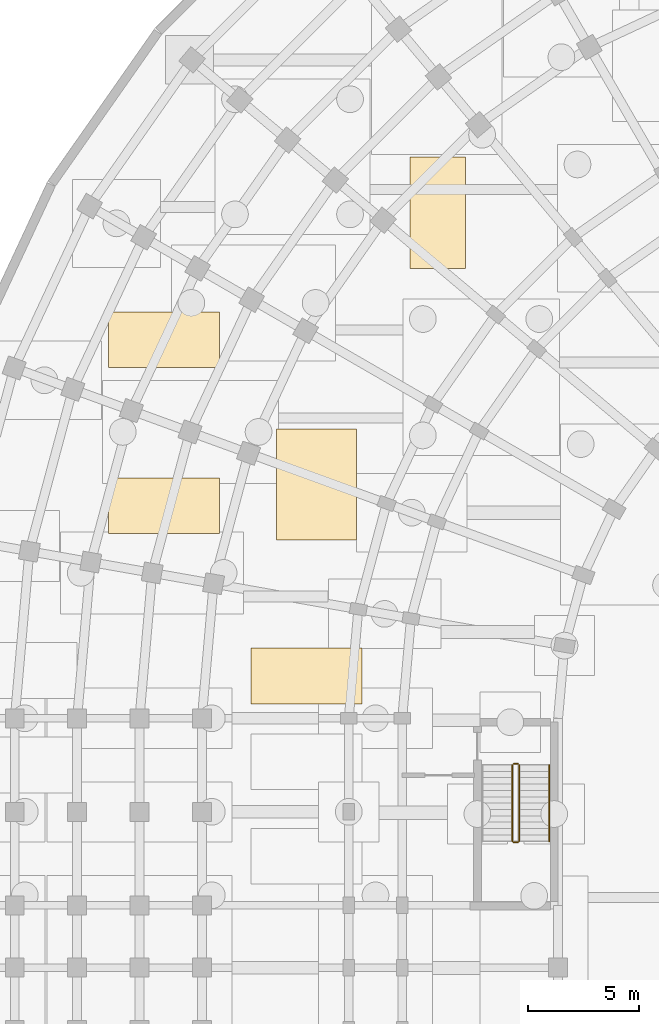
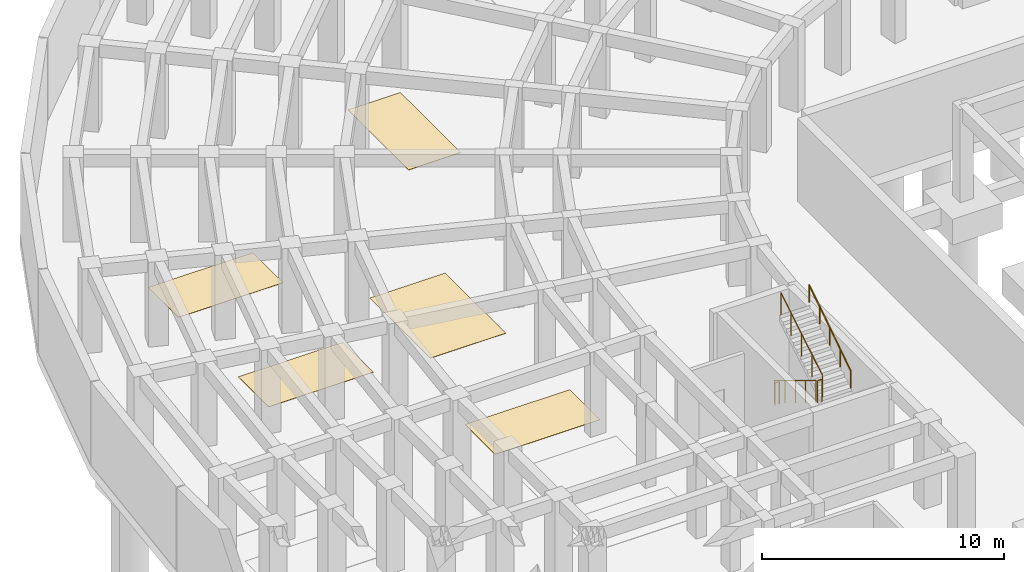
# One storey, part 45 of 53: 5 coverings, 5 railings.
"""IFC4 building model written with IfcOpenShell, lengths in metres."""

import ifcopenshell
import ifcopenshell.guid

model = None  # the IFC model being written
_history = None  # IfcOwnerHistory: only IFC2X3 demands one
_inside = {}  # id of a spatial element -> (the spatial element, [elements in it])
_under = {}  # id of a project, library or spatial element -> (it, [spatial elements below it])
_declared = {}  # id of a project -> (the project, [libraries it declares])
_typed = {}  # id of a type object -> (the type object, [elements of that type])
_made_of = {}  # id of a material, layer set ... -> (it, [elements and type objects made of it])


def new_model(schema):
    """Start an empty IFC model of exactly this schema.

    Asked for "IFC4X3", IfcOpenShell would pick the latest addendum, in which some entities
    have other attributes; the version numbers below select the first issue.
    IFC2X3 requires an IfcOwnerHistory on every rooted entity: one is made here for all.
    """
    global model, _history
    if schema == "IFC4X3":
        model = ifcopenshell.file(schema_version=(4, 3, 0, 0))
    else:
        model = ifcopenshell.file(schema=schema)
    _inside.clear()
    _under.clear()
    _declared.clear()
    _typed.clear()
    _made_of.clear()
    _history = None
    if model.schema == "IFC2X3":
        org = make("IfcOrganization", Name="unknown")
        user = make(
            "IfcPersonAndOrganization",
            ThePerson=make("IfcPerson", FamilyName="unknown"),
            TheOrganization=org,
        )
        app = make(
            "IfcApplication",
            ApplicationDeveloper=org,
            Version="unknown",
            ApplicationFullName="unknown",
            ApplicationIdentifier="unknown",
        )
        _history = make(
            "IfcOwnerHistory",
            OwningUser=user,
            OwningApplication=app,
            ChangeAction="ADDED",
            CreationDate=0,
        )
    return model


def make(cls, **values):
    """One entity of the class cls with the attributes given. An attribute that is None is left unset."""
    return model.create_entity(
        cls, **{name: value for name, value in values.items() if value is not None}
    )


def rooted(cls, **values):
    """An entity with a GlobalId (a new one), such as an element, a storey or a relation."""
    return make(cls, GlobalId=ifcopenshell.guid.new(), OwnerHistory=_history, **values)


def si_unit(unit_type, name, prefix=None):
    """IfcSIUnit, for example si_unit("LENGTHUNIT", "METRE", prefix="MILLI")."""
    return make("IfcSIUnit", UnitType=unit_type, Prefix=prefix, Name=name)


def assignment(units):
    """IfcUnitAssignment: the units of a project."""
    return None if units is None else make("IfcUnitAssignment", Units=units)


def point(xyz):
    """IfcCartesianPoint."""
    return None if xyz is None else make("IfcCartesianPoint", Coordinates=xyz)


def direction(xyz):
    """IfcDirection."""
    return None if xyz is None else make("IfcDirection", DirectionRatios=xyz)


def frame(location, z_axis=None, x_axis=None):
    """IfcAxis2Placement3D, a coordinate frame: its origin and axes. An axis left out is left unset."""
    return make(
        "IfcAxis2Placement3D",
        Location=point(location),
        Axis=direction(z_axis),
        RefDirection=direction(x_axis),
    )


def frame_2d(location, x_axis=None):
    """IfcAxis2Placement2D, a coordinate frame in the plane: its origin and x axis."""
    return make(
        "IfcAxis2Placement2D", Location=point(location), RefDirection=direction(x_axis)
    )


def origin():
    """The frame at (0, 0, 0) with its axes left unset."""
    return frame((0.0, 0.0, 0.0))


def origin_2d():
    """The frame at (0, 0) in the plane with its x axis left unset."""
    return frame_2d((0.0, 0.0))


def place(relative_to, where):
    """IfcLocalPlacement: puts the frame where relative to a parent placement (None: the world)."""
    return make(
        "IfcLocalPlacement", PlacementRelTo=relative_to, RelativePlacement=where
    )


def context(
    kind, dimensions, precision=None, world=None, true_north=None, identifier=None
):
    """IfcGeometricRepresentationContext, for example the 3D "Model" context."""
    return make(
        "IfcGeometricRepresentationContext",
        ContextIdentifier=identifier,
        ContextType=kind,
        CoordinateSpaceDimension=dimensions,
        Precision=precision,
        WorldCoordinateSystem=world,
        TrueNorth=true_north,
    )


def subcontext(parent, identifier, kind, view, scale=None):
    """IfcGeometricRepresentationSubContext, for example "Body" below "Model"."""
    return make(
        "IfcGeometricRepresentationSubContext",
        ContextIdentifier=identifier,
        ContextType=kind,
        ParentContext=parent,
        TargetScale=scale,
        TargetView=view,
    )


def project(units=None, contexts=None):
    """IfcProject with its units and contexts."""
    return rooted(
        "IfcProject",
        Name="project",
        RepresentationContexts=contexts,
        UnitsInContext=assignment(units),
    )


def spatial(cls, under=None, at=None, **own):
    """A site, building, storey or space (cls), placed at a placement, below another one or the project."""
    s = rooted(cls, ObjectPlacement=at, **own)
    if under is not None:
        _under.setdefault(under.id(), (under, []))[1].append(s)
    return s


def polyline(points):
    """IfcPolyline through the points."""
    return make("IfcPolyline", Points=[point(p) for p in points])


def profile(cls, at=None, kind="AREA", **sizes):
    """A parametric profile (cls). Its sizes go by their IFC names, for example OverallWidth=200.0."""
    return make(cls, ProfileType=kind, Position=at, **sizes)


def circle(**sizes):
    """IfcCircleProfileDef."""
    return profile("IfcCircleProfileDef", **sizes)


def outline(outer, holes=None, kind="AREA"):
    """IfcArbitraryClosedProfileDef: a profile drawn as a closed curve; with holes, ...WithVoids."""
    if holes is None:
        return make("IfcArbitraryClosedProfileDef", ProfileType=kind, OuterCurve=outer)
    return make(
        "IfcArbitraryProfileDefWithVoids",
        ProfileType=kind,
        OuterCurve=outer,
        InnerCurves=holes,
    )


def extrude(swept, where, along, depth):
    """IfcExtrudedAreaSolid: the profile swept, set in the frame where, extruded along a direction by depth."""
    return make(
        "IfcExtrudedAreaSolid",
        SweptArea=swept,
        Position=where,
        ExtrudedDirection=direction(along),
        Depth=depth,
    )


def shape(context_of_items, identifier, shape_type, items):
    """IfcShapeRepresentation: the items that make up one representation, for example the "Body"."""
    return make(
        "IfcShapeRepresentation",
        ContextOfItems=context_of_items,
        RepresentationIdentifier=identifier,
        RepresentationType=shape_type,
        Items=items,
    )


def material(Name=None, Category=None):
    """IfcMaterial."""
    return make("IfcMaterial", Name=Name, Category=Category)


def layer(
    of_material, thickness, ventilated=None, Name=None, Category=None, Priority=None
):
    """IfcMaterialLayer: one layer of a wall or slab, of a material (None: an air gap)."""
    return make(
        "IfcMaterialLayer",
        Material=of_material,
        LayerThickness=thickness,
        IsVentilated=ventilated,
        Name=Name,
        Category=Category,
        Priority=Priority,
    )


def layer_set(layers, Name=None):
    """IfcMaterialLayerSet."""
    return make("IfcMaterialLayerSet", MaterialLayers=layers, LayerSetName=Name)


def made_of(thing, what):
    """Note that an element or type object is made of a material, layer set ...; save() writes the relation."""
    if what is not None:
        _made_of.setdefault(what.id(), (what, []))[1].append(thing)
    return thing


def type_object(cls, material=None, **own):
    """A type object (cls), such as IfcWallType, which elements share."""
    return made_of(rooted(cls, **own), material)


def element(
    cls,
    number,
    at=None,
    inside=None,
    cuts=None,
    type_object=None,
    material=None,
    context=None,
    identifier="Body",
    shape_type=None,
    held_by="IfcProductDefinitionShape",
    body=None,
    shapes=None,
    **own,
):
    """One element of the class cls, such as IfcWall. Its Tag is "e" and its number.

    at: its placement. inside: the storey or other place that contains it. cuts: it is an
    opening in that element (IfcRelVoidsElement). A single representation is given by context,
    identifier, shape_type and body (its items); several are given by shapes. held_by: the class
    of the entity that holds the representations. save() writes the other relations.
    """
    e = rooted(cls, Tag="e%d" % number, ObjectPlacement=at, **own)
    if body is not None:
        shapes = [shape(context, identifier, shape_type, body)]
    if shapes is not None:
        e.Representation = make(held_by, Representations=shapes)
    if inside is not None:
        _inside.setdefault(inside.id(), (inside, []))[1].append(e)
    if cuts is not None:
        rooted(
            "IfcRelVoidsElement", RelatingBuildingElement=cuts, RelatedOpeningElement=e
        )
    if type_object is not None:
        _typed.setdefault(type_object.id(), (type_object, []))[1].append(e)
    return made_of(e, material)


def aggregate(whole, parts):
    """IfcRelAggregates: a whole, such as a stair, and the parts it consists of."""
    return rooted("IfcRelAggregates", RelatingObject=whole, RelatedObjects=parts)


def save(model, path):
    """Write the relations noted so far, then the file.

    IfcRelAggregates (storeys below a building ...), IfcRelContainedInSpatialStructure (elements
    in a storey), IfcRelDefinesByType, IfcRelAssociatesMaterial and IfcRelDeclares: one each for
    every whole, place, type object, material and project.
    """
    for whole, parts in _under.values():
        aggregate(whole, parts)
    for where, things in _inside.values():
        rooted(
            "IfcRelContainedInSpatialStructure",
            RelatedElements=things,
            RelatingStructure=where,
        )
    for kind, things in _typed.values():
        rooted("IfcRelDefinesByType", RelatedObjects=things, RelatingType=kind)
    for what, things in _made_of.values():
        rooted("IfcRelAssociatesMaterial", RelatedObjects=things, RelatingMaterial=what)
    for by, libraries in _declared.values():
        rooted("IfcRelDeclares", RelatingContext=by, RelatedDefinitions=libraries)
    model.write(path)


model = new_model("IFC4")

# Units and contexts
model_context = context("Model", 3, precision=1e-05, world=origin(), true_north=direction((0.0, 1.0)))
body_context = subcontext(model_context, "Body", "Model", "MODEL_VIEW")
ifc_project = project(units=[si_unit("LENGTHUNIT", "METRE"), si_unit("AREAUNIT", "SQUARE_METRE"), si_unit("VOLUMEUNIT", "CUBIC_METRE"), si_unit("PLANEANGLEUNIT", "RADIAN"), si_unit("MASSUNIT", "GRAM", prefix="KILO")], contexts=[model_context])

# Site, building, storey
site_placement = place(None, origin())
site = spatial("IfcSite", under=ifc_project, at=site_placement, CompositionType="ELEMENT")
building_placement = place(site_placement, origin())
building = spatial("IfcBuilding", under=site, at=building_placement, Name="Kiranvali Square Residences", CompositionType="ELEMENT")
storey_placement = place(building_placement, frame((0.0, 0.0, -4.5)))
storey = spatial("IfcBuildingStorey", under=building, at=storey_placement, Name="B1", CompositionType="ELEMENT", Elevation=-4.5)

# Coverings
ifc_material_1 = material(Name="Polished terrazzo and anti-slip vitrified floor finish", Category="stone")
ifc_layer_1 = layer(ifc_material_1, 0.014892578125)
ifc_layer_set_1 = layer_set([ifc_layer_1], Name="Polished terrazzo and anti-slip vitrified floor finish")
covering_type_1 = type_object("IfcCoveringType", Name="COV-BAY-ACC", PredefinedType="FLOORING", material=ifc_layer_set_1)
covering_1_placement = place(storey_placement, origin())
element("IfcCovering", 1, at=covering_1_placement, inside=storey, type_object=covering_type_1, Name="Accessible Parking Bay ACC-08", PredefinedType="FLOORING", context=body_context, shape_type="SweptSolid", body=[
    extrude(outline(polyline([(16.75, 95.800048828125), (20.35009765625, 95.800048828125), (20.35009765625, 100.800048828125), (16.75, 100.800048828125), (16.75, 95.800048828125)])), origin(), (0.0, 0.0, 1.0), 0.014892578125),
])
ifc_layer_2 = layer(ifc_material_1, 0.014892578125)
ifc_layer_set_2 = layer_set([ifc_layer_2], Name="Polished terrazzo and anti-slip vitrified floor finish")
covering_type_2 = type_object("IfcCoveringType", Name="COV-BAY-STD", PredefinedType="FLOORING", material=ifc_layer_set_2)
covering_2_placement = place(storey_placement, origin())
element("IfcCovering", 2, at=covering_2_placement, inside=storey, type_object=covering_type_2, Name="Standard Car Parking Bay P-008", PredefinedType="FLOORING", context=body_context, shape_type="SweptSolid", body=[
    extrude(outline(polyline([(22.75, 108.0), (25.25, 108.0), (25.25, 113.0), (22.75, 113.0), (22.75, 108.0)])), origin(), (0.0, 0.0, 1.0), 0.014892578125),
])
covering_3_placement = place(storey_placement, origin())
element("IfcCovering", 3, at=covering_3_placement, inside=storey, type_object=covering_type_2, Name="Standard Car Parking Bay P-046", PredefinedType="FLOORING", context=body_context, shape_type="SweptSolid", body=[
    extrude(outline(polyline([(9.199951171875, 96.10009765625), (14.199951171875, 96.10009765625), (14.199951171875, 98.60009765625), (9.199951171875, 98.60009765625), (9.199951171875, 96.10009765625)])), origin(), (0.0, 0.0, 1.0), 0.014892578125),
])
covering_4_placement = place(storey_placement, origin())
element("IfcCovering", 4, at=covering_4_placement, inside=storey, type_object=covering_type_2, Name="Standard Car Parking Bay P-047", PredefinedType="FLOORING", context=body_context, shape_type="SweptSolid", body=[
    extrude(outline(polyline([(9.199951171875, 103.550048828125), (14.199951171875, 103.550048828125), (14.199951171875, 106.050048828125), (9.199951171875, 106.050048828125), (9.199951171875, 103.550048828125)])), origin(), (0.0, 0.0, 1.0), 0.014892578125),
])
covering_5_placement = place(storey_placement, origin())
element("IfcCovering", 5, at=covering_5_placement, inside=storey, type_object=covering_type_2, Name="Standard Car Parking Bay P-053", PredefinedType="FLOORING", context=body_context, shape_type="SweptSolid", body=[
    extrude(outline(polyline([(15.60009765625, 88.449951171875), (20.60009765625, 88.449951171875), (20.60009765625, 90.949951171875), (15.60009765625, 90.949951171875), (15.60009765625, 88.449951171875)])), origin(), (0.0, 0.0, 1.0), 0.014892578125),
])

# Railings
ifc_material_2 = material(Name="Brushed stainless steel tubular handrail", Category="steel")
railing_type_1 = type_object("IfcRailingType", Name="RL-HANDRAIL-900", PredefinedType="HANDRAIL", material=ifc_material_2)
railing_1_placement = place(storey_placement, frame((29.0, 82.280029296875, 2.423095703125)))
element("IfcRailing", 6, at=railing_1_placement, inside=storey, type_object=railing_type_1, Name="B1 ST-A3 stair handrail 2", PredefinedType="HANDRAIL", context=body_context, shape_type="SweptSolid", body=[
    extrude(circle(Radius=0.02392578125, at=origin_2d()), frame((0.0, 0.0, 0.8759765625), z_axis=(0.0, 0.835411317272, 0.549625264133), x_axis=(-1.0, 0.0, 0.0)), (0.0, 0.0, 1.0), 4.09375),
    extrude(circle(Radius=0.02099609375, at=origin_2d()), origin(), (0.0, 0.0, 1.0), 0.851806640625),
    extrude(circle(Radius=0.02099609375, at=origin_2d()), frame((0.0, 0.85498046875, 0.5625)), (0.0, 0.0, 1.0), 0.851806640625),
    extrude(circle(Radius=0.02099609375, at=origin_2d()), frame((0.0, 1.7099609375, 1.125)), (0.0, 0.0, 1.0), 0.851806640625),
    extrude(circle(Radius=0.02099609375, at=origin_2d()), frame((0.0, 2.56494140625, 1.6875)), (0.0, 0.0, 1.0), 0.851806640625),
    extrude(circle(Radius=0.02099609375, at=origin_2d()), frame((0.0, 3.419921875, 2.25)), (0.0, 0.0, 1.0), 0.851806640625),
])
ifc_material_3 = material(Name="Powder-coated architectural bronze balustrade", Category="steel")
railing_type_2 = type_object("IfcRailingType", Name="RL-ST-GUARD-1200", PredefinedType="GUARDRAIL", material=ifc_material_3)
railing_2_placement = place(storey_placement, frame((27.35009765625, 85.699951171875, 0.173095703125)))
element("IfcRailing", 7, at=railing_2_placement, inside=storey, type_object=railing_type_2, Name="B1 ST-A3 stair guard 1", PredefinedType="GUARDRAIL", context=body_context, shape_type="SweptSolid", body=[
    extrude(circle(Radius=0.02392578125, at=origin_2d()), frame((0.0, 0.0, 1.1259765625), z_axis=(0.0, -0.854729506542, 0.519073665916), x_axis=(1.0, 0.0, 0.0)), (0.0, 0.0, 1.0), 4.001220703125),
    extrude(circle(Radius=0.02099609375, at=origin_2d()), origin(), (0.0, 0.0, 1.0), 1.101806640625),
    extrude(circle(Radius=0.02099609375, at=origin_2d()), frame((0.0, -0.85498046875, 0.519287109375)), (0.0, 0.0, 1.0), 1.101806640625),
    extrude(circle(Radius=0.02099609375, at=origin_2d()), frame((0.0, -1.7099609375, 1.03857421875)), (0.0, 0.0, 1.0), 1.101806640625),
    extrude(circle(Radius=0.02099609375, at=origin_2d()), frame((0.0, -2.56494140625, 1.5576171875)), (0.0, 0.0, 1.0), 1.101806640625),
    extrude(circle(Radius=0.02099609375, at=origin_2d()), frame((0.0, -3.419921875, 2.076904296875)), (0.0, 0.0, 1.0), 1.101806640625),
])
railing_3_placement = place(storey_placement, frame((27.39990234375, 82.22998046875, 2.25)))
element("IfcRailing", 8, at=railing_3_placement, inside=storey, type_object=railing_type_2, Name="B1 ST-A3 stair guard 2", PredefinedType="GUARDRAIL", context=body_context, shape_type="SweptSolid", body=[
    extrude(circle(Radius=0.02392578125, at=origin_2d()), frame((0.0, 0.0, 1.1259765625), z_axis=(1.0, 0.0, 0.0), x_axis=(0.0, 1.0, 0.0)), (0.0, 0.0, 1.0), 0.2001953125),
    extrude(circle(Radius=0.02099609375, at=origin_2d()), origin(), (0.0, 0.0, 1.0), 1.101806640625),
    extrude(circle(Radius=0.02099609375, at=origin_2d()), frame((0.2001953125, 0.0, 0.0)), (0.0, 0.0, 1.0), 1.101806640625),
])
railing_4_placement = place(storey_placement, frame((27.64990234375, 82.280029296875, 2.423095703125)))
element("IfcRailing", 9, at=railing_4_placement, inside=storey, type_object=railing_type_2, Name="B1 ST-A3 stair guard 3", PredefinedType="GUARDRAIL", context=body_context, shape_type="SweptSolid", body=[
    extrude(circle(Radius=0.02392578125, at=origin_2d()), frame((0.0, 0.0, 1.1259765625), z_axis=(0.0, 0.854729506542, 0.519073665916), x_axis=(-1.0, 0.0, 0.0)), (0.0, 0.0, 1.0), 4.001220703125),
    extrude(circle(Radius=0.02099609375, at=origin_2d()), origin(), (0.0, 0.0, 1.0), 1.101806640625),
    extrude(circle(Radius=0.02099609375, at=origin_2d()), frame((0.0, 0.85498046875, 0.519287109375)), (0.0, 0.0, 1.0), 1.101806640625),
    extrude(circle(Radius=0.02099609375, at=origin_2d()), frame((0.0, 1.7099609375, 1.03857421875)), (0.0, 0.0, 1.0), 1.101806640625),
    extrude(circle(Radius=0.02099609375, at=origin_2d()), frame((0.0, 2.56494140625, 1.5576171875)), (0.0, 0.0, 1.0), 1.101806640625),
    extrude(circle(Radius=0.02099609375, at=origin_2d()), frame((0.0, 3.419921875, 2.076904296875)), (0.0, 0.0, 1.0), 1.101806640625),
])
railing_5_placement = place(storey_placement, frame((27.39990234375, 85.75, 0.0)))
element("IfcRailing", 10, at=railing_5_placement, inside=storey, type_object=railing_type_2, Name="B1 ST-A3 stair guard 4", PredefinedType="GUARDRAIL", context=body_context, shape_type="SweptSolid", body=[
    extrude(circle(Radius=0.02392578125, at=origin_2d()), frame((0.0, 0.0, 1.1259765625), z_axis=(1.0, 0.0, 0.0), x_axis=(0.0, 1.0, 0.0)), (0.0, 0.0, 1.0), 0.2001953125),
    extrude(circle(Radius=0.02099609375, at=origin_2d()), origin(), (0.0, 0.0, 1.0), 1.101806640625),
    extrude(circle(Radius=0.02099609375, at=origin_2d()), frame((0.2001953125, 0.0, 0.0)), (0.0, 0.0, 1.0), 1.101806640625),
])

save(model, "model.ifc")
